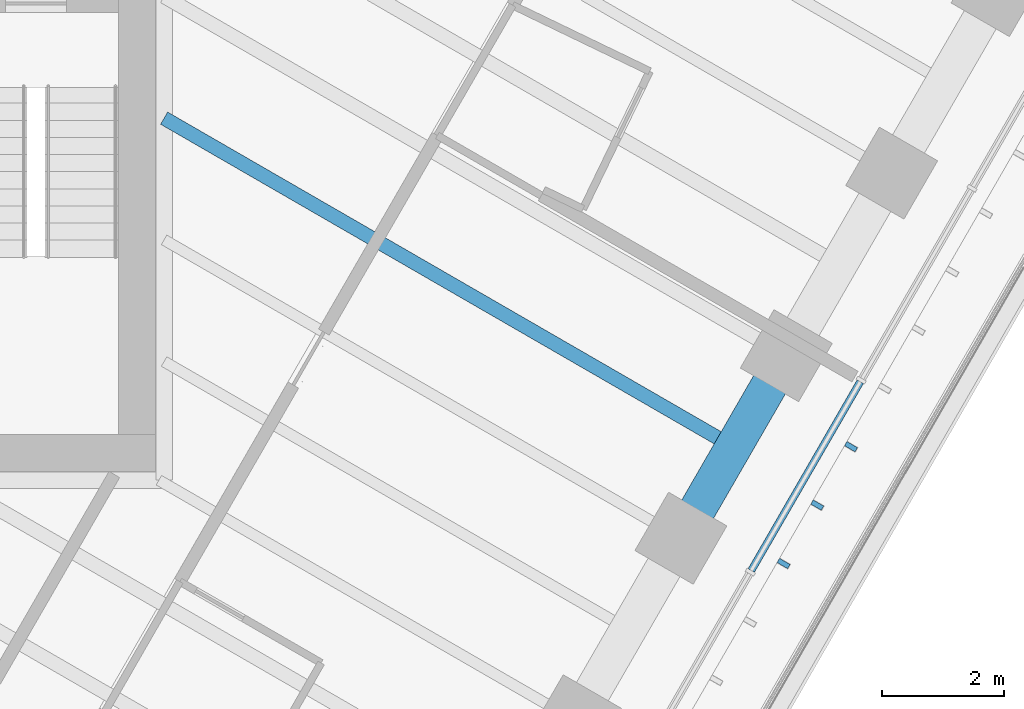
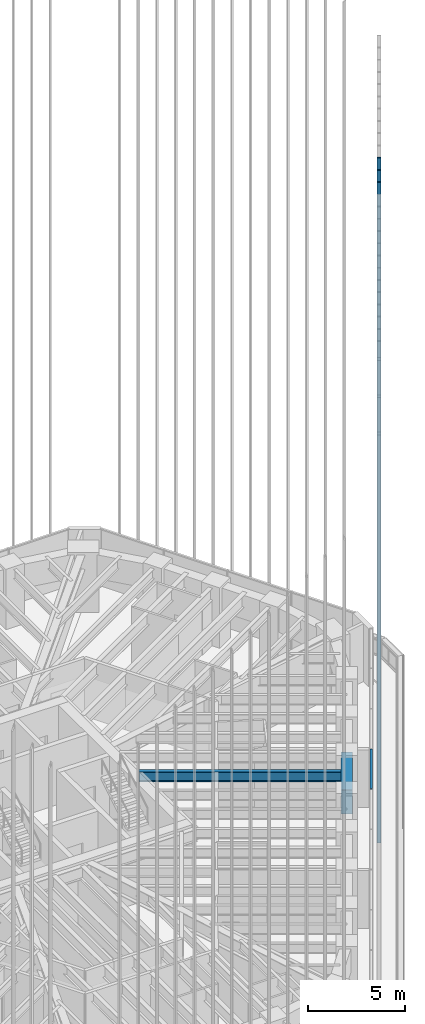
# One storey, part 45 of 127: 4 members, 2 beams, 1 element without a shape of its own.
"""IFC4 building model written with IfcOpenShell, lengths in metres."""

from ifc_helpers import new_model, si_unit, direction, frame, origin, origin_2d, place, context, subcontext, project, spatial, rectangle, i_section, extrude, material, material_profile, profile_set, type_object, element, aggregate, save


model = new_model("IFC4")

# Units and contexts
model_context = context("Model", 3, precision=1e-05, world=origin(), true_north=direction((0.0, 1.0)))
body_context = subcontext(model_context, "Body", "Model", "MODEL_VIEW")
ifc_project = project(units=[si_unit("LENGTHUNIT", "METRE"), si_unit("AREAUNIT", "SQUARE_METRE"), si_unit("VOLUMEUNIT", "CUBIC_METRE"), si_unit("PLANEANGLEUNIT", "RADIAN"), si_unit("MASSUNIT", "GRAM", prefix="KILO")], contexts=[model_context])

# Site, building, storey
site_placement = place(None, origin())
site = spatial("IfcSite", under=ifc_project, at=site_placement, CompositionType="ELEMENT")
building_placement = place(site_placement, origin())
building = spatial("IfcBuilding", under=site, at=building_placement, Name="Sandreach Pilgrim Tower", CompositionType="ELEMENT")
storey_placement = place(building_placement, frame((0.0, 0.0, 257.0)))
storey = spatial("IfcBuildingStorey", under=building, at=storey_placement, Name="L64", CompositionType="ELEMENT", Elevation=257.0)

# Curtain wall, member
ifc_material_1 = material(Name="Aluminium framed curtain wall", Category="aluminium")
curtain_wall_type = type_object("IfcCurtainWallType", Name="Suite tower curtain wall", PredefinedType="NOTDEFINED", material=ifc_material_1)
curtain_wall_placement = place(storey_placement, origin())
curtain_wall = element("IfcCurtainWall", 1, at=curtain_wall_placement, inside=storey, type_object=curtain_wall_type, Name="CW-4 L64 SE", PredefinedType="NOTDEFINED")
ifc_material_2 = material(Name="Aluminium extrusion", Category="aluminium")
ifc_material_profile_1 = material_profile(ifc_material_2, rectangle(XDim=0.1201171875, YDim=0.070068359375, at=origin_2d()), Name="CW-4T 120X70")
ifc_profile_set_1 = profile_set([ifc_material_profile_1], Name="Aluminium extrusion")
member_type_1 = type_object("IfcMemberType", Name="CW-4 transom", PredefinedType="USERDEFINED", material=ifc_profile_set_1)
member_1_placement = place(storey_placement, frame((19.87158203125, -5.234375, 3.60498046875), z_axis=(-0.500038900691, -0.866002943295, 0.0), x_axis=(0.866002943295, -0.500038900691, 0.0)))
member_1 = element("IfcMember", 2, at=member_1_placement, type_object=member_type_1, Name="CW-4 head transom 4", ObjectType="TRANSOM", PredefinedType="USERDEFINED", context=body_context, shape_type="SweptSolid", body=[
    extrude(rectangle(XDim=0.1201171875, YDim=0.070068359375, at=origin_2d()), origin(), (0.0, 0.0, 1.0), 3.561767578125),
])

# Beams
ifc_material_3 = material(Name="Steel ASTM A992 Grade 50", Category="steel")
ifc_material_profile_2 = material_profile(ifc_material_3, i_section(OverallWidth=0.23046875, OverallDepth=0.6171875, WebThickness=0.01318359375, FlangeThickness=0.022216796875, at=origin_2d()), Name="W24X94")
ifc_profile_set_2 = profile_set([ifc_material_profile_2], Name="Steel ASTM A992 Grade 50")
beam_type_1 = type_object("IfcBeamType", Name="Floor beam W24X94", PredefinedType="BEAM", material=ifc_profile_set_2)
beam_1_placement = place(storey_placement, frame((17.801513671875, -6.2998046875, 3.331298828125), z_axis=(-0.866025958161, 0.49999903979, 0.0), x_axis=(-0.49999903979, -0.866025958161, 0.0)))
element("IfcBeam", 3, at=beam_1_placement, inside=storey, type_object=beam_type_1, Name="BM L64 FM16", PredefinedType="BEAM", context=body_context, shape_type="SweptSolid", body=[
    extrude(i_section(OverallWidth=0.23046875, OverallDepth=0.6171875, WebThickness=0.01318359375, FlangeThickness=0.022216796875, at=origin_2d()), origin(), (0.0, 0.0, 1.0), 10.748046875),
])
ifc_material_4 = material(Name="Concrete 10000 psi", Category="concrete")
ifc_material_profile_3 = material_profile(ifc_material_4, rectangle(XDim=0.60009765625, YDim=1.5, at=origin_2d()), Name="RC600X1500")
ifc_profile_set_3 = profile_set([ifc_material_profile_3], Name="Concrete 10000 psi")
beam_type_2 = type_object("IfcBeamType", Name="Spandrel beam RC600X1500", PredefinedType="SPANDREL", material=ifc_profile_set_3)
beam_2_placement = place(storey_placement, frame((18.662841796875, -4.80810546875, 2.889892578125), z_axis=(-0.500041441558, -0.866001476168, 0.0), x_axis=(0.866001476168, -0.500041441558, 0.0)))
element("IfcBeam", 4, at=beam_2_placement, inside=storey, type_object=beam_type_2, Name="BM L64 SP16", PredefinedType="SPANDREL", context=body_context, shape_type="SweptSolid", body=[
    extrude(rectangle(XDim=0.60009765625, YDim=1.5, at=origin_2d()), origin(), (0.0, 0.0, 1.0), 3.445068359375),
])

# Member
ifc_material_5 = material(Name="Extruded terracotta on aluminium core", Category="masonry")
ifc_material_profile_4 = material_profile(ifc_material_5, rectangle(XDim=0.080078125, YDim=0.199951171875, at=origin_2d()), Name="TBE 80X200")
ifc_profile_set_4 = profile_set([ifc_material_profile_4], Name="Extruded terracotta on aluminium core")
member_type_2 = type_object("IfcMemberType", Name="Terracotta baguette east", PredefinedType="USERDEFINED", material=ifc_profile_set_4)
member_2_placement = place(storey_placement, frame((19.720458984375, -6.2958984375, 0.0), z_axis=(0.0, 0.0, 1.0), x_axis=(-0.5, -0.866025403784, 0.0)))
member_2 = element("IfcMember", 5, at=member_2_placement, type_object=member_type_2, Name="Baguette Z4 SE11", ObjectType="BAGUETTE", PredefinedType="USERDEFINED", context=body_context, shape_type="SweptSolid", body=[
    extrude(rectangle(XDim=0.080078125, YDim=0.199951171875, at=origin_2d()), origin(), (0.0, 0.0, 1.0), 41.639892578125),
])

member_3_placement = place(storey_placement, frame((19.16943359375, -7.250244140625, 0.0), z_axis=(0.0, 0.0, 1.0), x_axis=(-0.5, -0.866025403784, 0.0)))
member_3 = element("IfcMember", 6, at=member_3_placement, type_object=member_type_2, Name="Baguette Z4 SE12", ObjectType="BAGUETTE", PredefinedType="USERDEFINED", context=body_context, shape_type="SweptSolid", body=[
    extrude(rectangle(XDim=0.080078125, YDim=0.199951171875, at=origin_2d()), origin(), (0.0, 0.0, 1.0), 41.639892578125),
])

member_4_placement = place(storey_placement, frame((18.61865234375, -8.20458984375, 0.0), z_axis=(0.0, 0.0, 1.0), x_axis=(-0.5, -0.866025403784, 0.0)))
member_4 = element("IfcMember", 7, at=member_4_placement, type_object=member_type_2, Name="Baguette Z4 SE13", ObjectType="BAGUETTE", PredefinedType="USERDEFINED", context=body_context, shape_type="SweptSolid", body=[
    extrude(rectangle(XDim=0.080078125, YDim=0.199951171875, at=origin_2d()), origin(), (0.0, 0.0, 1.0), 41.639892578125),
])

aggregate(curtain_wall, [member_1, member_2, member_3, member_4])

save(model, "model.ifc")
